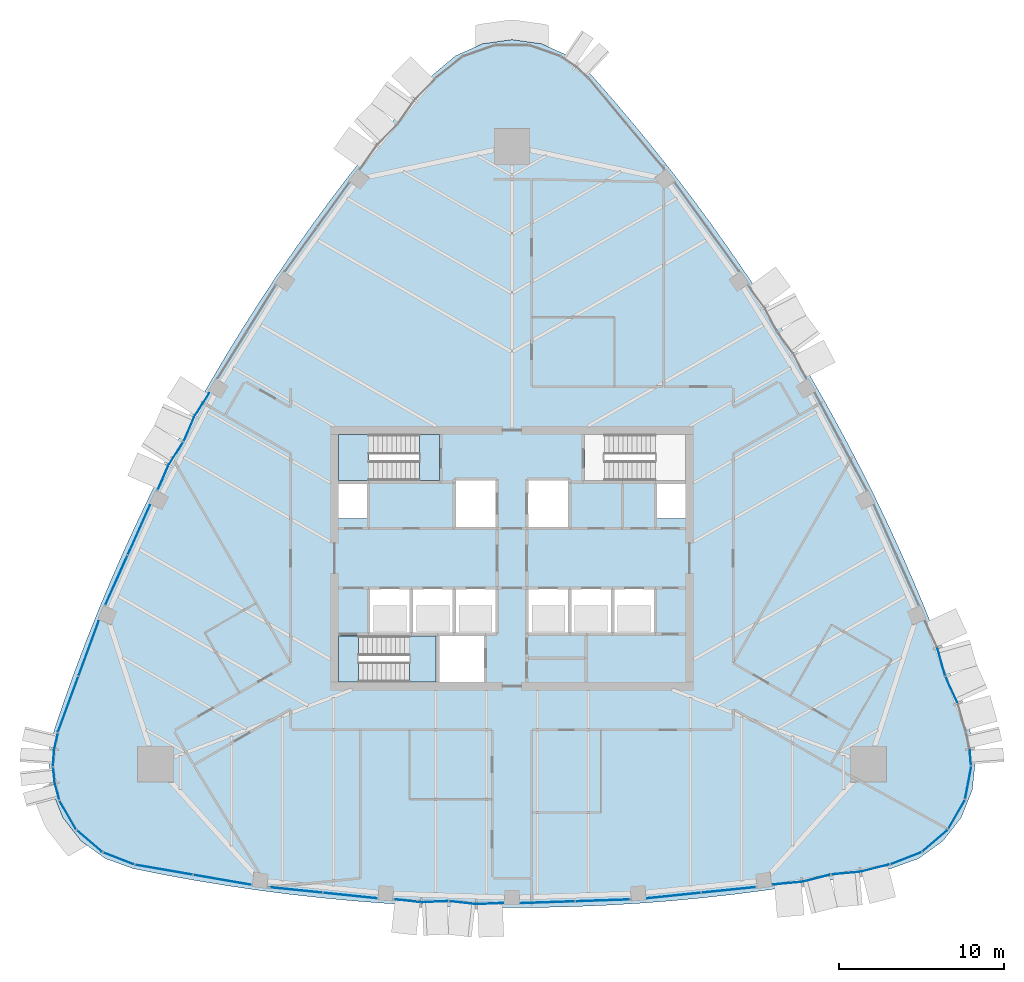
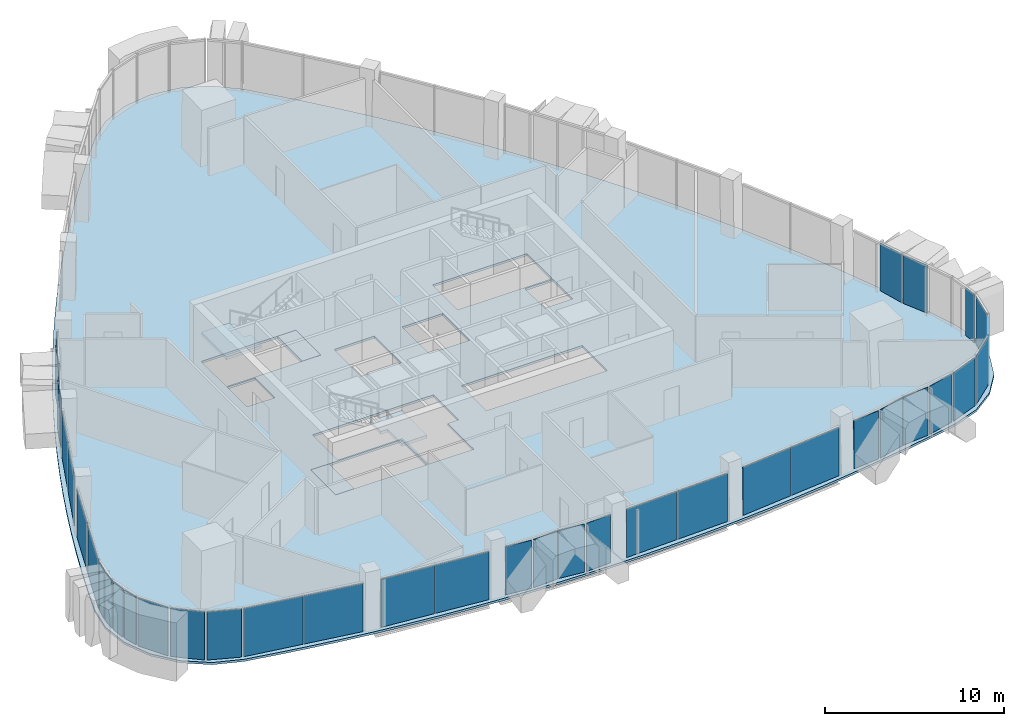
# One storey, part 8 of 18: 38 plates, 5 slabs, 22 elements without a shape of their own.
"""IFC4 building model written with IfcOpenShell, lengths in metres."""

from ifc_helpers import new_model, si_unit, direction, frame, origin, origin_2d, place, context, subcontext, project, spatial, polyline, rectangle, outline, extrude, material, layer, layer_set, type_object, element, aggregate, save


model = new_model("IFC4")

# Units and contexts
model_context = context("Model", 3, precision=1e-05, world=origin(), true_north=direction((0.0, 1.0)))
body_context = subcontext(model_context, "Body", "Model", "MODEL_VIEW")
ifc_project = project(units=[si_unit("LENGTHUNIT", "METRE"), si_unit("AREAUNIT", "SQUARE_METRE"), si_unit("VOLUMEUNIT", "CUBIC_METRE"), si_unit("PLANEANGLEUNIT", "RADIAN"), si_unit("MASSUNIT", "GRAM", prefix="KILO")], contexts=[model_context])

# Site, building, storey
site_placement = place(None, origin())
site = spatial("IfcSite", under=ifc_project, at=site_placement, CompositionType="ELEMENT")
building_placement = place(site_placement, origin())
building = spatial("IfcBuilding", under=site, at=building_placement, Name="Sierra Prisma Convention Tower", CompositionType="ELEMENT")
storey_placement = place(building_placement, frame((0.0, 0.0, 255.0)))
storey = spatial("IfcBuildingStorey", under=building, at=storey_placement, Name="L57", CompositionType="ELEMENT", Elevation=255.0)

# Curtain wall, plates
ifc_material_1 = material(Name="Aluminium and glass curtain wall", Category="aluminium")
ifc_layer_1 = layer(ifc_material_1, 0.179931640625)
ifc_layer_set_1 = layer_set([ifc_layer_1], Name="CW-1 Plain shaft curtain wall")
curtain_wall_type_1 = type_object("IfcCurtainWallType", Name="CW-1 Plain shaft curtain wall", PredefinedType="NOTDEFINED", material=ifc_layer_set_1)
curtain_wall_1_placement = place(storey_placement, origin())
curtain_wall_1 = element("IfcCurtainWall", 1, at=curtain_wall_1_placement, inside=storey, type_object=curtain_wall_type_1, Name="CW-1 S1 L57", PredefinedType="NOTDEFINED")
ifc_material_2 = material(Name="Tinted glass bronze-grey IGU", Category="glass")
ifc_layer_2 = layer(ifc_material_2, 0.028076171875)
ifc_layer_set_2 = layer_set([ifc_layer_2], Name="CW-1 glass panel")
plate_type_1 = type_object("IfcPlateType", Name="CW-1 glass panel", PredefinedType="CURTAIN_PANEL", material=ifc_layer_set_2)
plate_1_placement = place(storey_placement, frame((-21.089599609375, -18.871826171875, 0.0), z_axis=(0.0, 0.0, 1.0), x_axis=(0.985403487239, -0.170235035574, 0.0)))
plate_1 = element("IfcPlate", 2, at=plate_1_placement, type_object=plate_type_1, Name="CW-1 panel S1.1", PredefinedType="CURTAIN_PANEL", context=body_context, shape_type="SweptSolid", body=[
    extrude(rectangle(XDim=3.510986328125, YDim=0.028076171875, at=origin_2d()), origin(), (0.0, 0.0, 1.0), 3.280029296875),
])
plate_2_placement = place(storey_placement, frame((-17.56103515625, -19.4814453125, 0.0), z_axis=(0.0, 0.0, 1.0), x_axis=(0.985403487239, -0.170235035574, 0.0)))
plate_2 = element("IfcPlate", 3, at=plate_2_placement, type_object=plate_type_1, Name="CW-1 panel S1.2", PredefinedType="CURTAIN_PANEL", context=body_context, shape_type="SweptSolid", body=[
    extrude(rectangle(XDim=3.510986328125, YDim=0.028076171875, at=origin_2d()), origin(), (0.0, 0.0, 1.0), 3.280029296875),
])
aggregate(curtain_wall_1, [plate_1, plate_2])

curtain_wall_2_placement = place(storey_placement, origin())
curtain_wall_2 = element("IfcCurtainWall", 4, at=curtain_wall_2_placement, inside=storey, type_object=curtain_wall_type_1, Name="CW-1 S2 L57", PredefinedType="NOTDEFINED")
plate_3_placement = place(storey_placement, frame((-13.13427734375, -20.09375, 0.0), z_axis=(0.0, 0.0, 1.0), x_axis=(0.994737044861, -0.102460780699, 0.0)))
plate_3 = element("IfcPlate", 5, at=plate_3_placement, type_object=plate_type_1, Name="CW-1 panel S2.1", PredefinedType="CURTAIN_PANEL", context=body_context, shape_type="SweptSolid", body=[
    extrude(rectangle(XDim=3.263916015625, YDim=0.028076171875, at=origin_2d()), origin(), (0.0, 0.0, 1.0), 3.280029296875),
])
plate_4_placement = place(storey_placement, frame((-9.818115234375, -20.435302734375, 0.0), z_axis=(0.0, 0.0, 1.0), x_axis=(0.994737044861, -0.102460780699, 0.0)))
plate_4 = element("IfcPlate", 6, at=plate_4_placement, type_object=plate_type_1, Name="CW-1 panel S2.2", PredefinedType="CURTAIN_PANEL", context=body_context, shape_type="SweptSolid", body=[
    extrude(rectangle(XDim=3.263916015625, YDim=0.028076171875, at=origin_2d()), origin(), (0.0, 0.0, 1.0), 3.280029296875),
])
aggregate(curtain_wall_2, [plate_3, plate_4])

curtain_wall_3_placement = place(storey_placement, origin())
curtain_wall_3 = element("IfcCurtainWall", 7, at=curtain_wall_3_placement, inside=storey, type_object=curtain_wall_type_1, Name="CW-1 S4 L57", PredefinedType="NOTDEFINED")
plate_5_placement = place(storey_placement, frame((2.15869140625, -20.8447265625, 0.0), z_axis=(0.0, 0.0, 1.0), x_axis=(0.999414770638, 0.034206961734, 0.0)))
plate_5 = element("IfcPlate", 8, at=plate_5_placement, type_object=plate_type_1, Name="CW-1 panel S4.1", PredefinedType="CURTAIN_PANEL", context=body_context, shape_type="SweptSolid", body=[
    extrude(rectangle(XDim=3.27978515625, YDim=0.028076171875, at=origin_2d()), origin(), (0.0, 0.0, 1.0), 3.280029296875),
])
plate_6_placement = place(storey_placement, frame((5.506591796875, -20.72998046875, 0.0), z_axis=(0.0, 0.0, 1.0), x_axis=(0.999414770638, 0.034206961734, 0.0)))
plate_6 = element("IfcPlate", 9, at=plate_6_placement, type_object=plate_type_1, Name="CW-1 panel S4.2", PredefinedType="CURTAIN_PANEL", context=body_context, shape_type="SweptSolid", body=[
    extrude(rectangle(XDim=3.27978515625, YDim=0.028076171875, at=origin_2d()), origin(), (0.0, 0.0, 1.0), 3.280029296875),
])
aggregate(curtain_wall_3, [plate_5, plate_6])

curtain_wall_4_placement = place(storey_placement, origin())
curtain_wall_4 = element("IfcCurtainWall", 10, at=curtain_wall_4_placement, inside=storey, type_object=curtain_wall_type_1, Name="CW-1 S5 L57", PredefinedType="NOTDEFINED")
plate_7_placement = place(storey_placement, frame((9.818115234375, -20.435302734375, 0.0), z_axis=(0.0, 0.0, 1.0), x_axis=(0.994737044861, 0.102460780699, 0.0)))
plate_7 = element("IfcPlate", 11, at=plate_7_placement, type_object=plate_type_1, Name="CW-1 panel S5.1", PredefinedType="CURTAIN_PANEL", context=body_context, shape_type="SweptSolid", body=[
    extrude(rectangle(XDim=3.263916015625, YDim=0.028076171875, at=origin_2d()), origin(), (0.0, 0.0, 1.0), 3.280029296875),
])
plate_8_placement = place(storey_placement, frame((13.13427734375, -20.09375, 0.0), z_axis=(0.0, 0.0, 1.0), x_axis=(0.994737044861, 0.102460780699, 0.0)))
plate_8 = element("IfcPlate", 12, at=plate_8_placement, type_object=plate_type_1, Name="CW-1 panel S5.2", PredefinedType="CURTAIN_PANEL", context=body_context, shape_type="SweptSolid", body=[
    extrude(rectangle(XDim=3.263916015625, YDim=0.028076171875, at=origin_2d()), origin(), (0.0, 0.0, 1.0), 3.280029296875),
])
aggregate(curtain_wall_4, [plate_7, plate_8])

# Curtain wall, plate
curtain_wall_5_placement = place(storey_placement, origin())
curtain_wall_5 = element("IfcCurtainWall", 13, at=curtain_wall_5_placement, inside=storey, type_object=curtain_wall_type_1, Name="CW-1 SE1 L57", PredefinedType="NOTDEFINED")
plate_9_placement = place(storey_placement, frame((23.85693359375, -18.18115234375, 0.0), z_axis=(0.0, 0.0, 1.0), x_axis=(0.93099577944, 0.365029942148, 0.0)))
plate_9 = element("IfcPlate", 14, at=plate_9_placement, type_object=plate_type_1, Name="CW-1 panel SE1.1", PredefinedType="CURTAIN_PANEL", context=body_context, shape_type="SweptSolid", body=[
    extrude(rectangle(XDim=1.9404296875, YDim=0.028076171875, at=origin_2d()), origin(), (0.0, 0.0, 1.0), 3.280029296875),
])
aggregate(curtain_wall_5, [plate_9])

curtain_wall_6_placement = place(storey_placement, origin())
curtain_wall_6 = element("IfcCurtainWall", 15, at=curtain_wall_6_placement, inside=storey, type_object=curtain_wall_type_1, Name="CW-1 SE2 L57", PredefinedType="NOTDEFINED")
plate_10_placement = place(storey_placement, frame((25.614013671875, -17.123046875, 0.0), z_axis=(0.0, 0.0, 1.0), x_axis=(0.758080697115, 0.652160759829, 0.0)))
plate_10 = element("IfcPlate", 16, at=plate_10_placement, type_object=plate_type_1, Name="CW-1 panel SE2.1", PredefinedType="CURTAIN_PANEL", context=body_context, shape_type="SweptSolid", body=[
    extrude(rectangle(XDim=1.9404296875, YDim=0.028076171875, at=origin_2d()), origin(), (0.0, 0.0, 1.0), 3.280029296875),
])
aggregate(curtain_wall_6, [plate_10])

curtain_wall_7_placement = place(storey_placement, origin())
curtain_wall_7 = element("IfcCurtainWall", 17, at=curtain_wall_7_placement, inside=storey, type_object=curtain_wall_type_1, Name="CW-1 SE3 L57", PredefinedType="NOTDEFINED")
plate_11_placement = place(storey_placement, frame((26.9228515625, -15.5439453125, 0.0), z_axis=(0.0, 0.0, 1.0), x_axis=(0.5, 0.866025403784, 0.0)))
plate_11 = element("IfcPlate", 18, at=plate_11_placement, type_object=plate_type_1, Name="CW-1 panel SE3.1", PredefinedType="CURTAIN_PANEL", context=body_context, shape_type="SweptSolid", body=[
    extrude(rectangle(XDim=1.9404296875, YDim=0.028076171875, at=origin_2d()), origin(), (0.0, 0.0, 1.0), 3.280029296875),
])
aggregate(curtain_wall_7, [plate_11])

curtain_wall_8_placement = place(storey_placement, origin())
curtain_wall_8 = element("IfcCurtainWall", 19, at=curtain_wall_8_placement, inside=storey, type_object=curtain_wall_type_1, Name="CW-1 SE4 L57", PredefinedType="NOTDEFINED")
plate_12_placement = place(storey_placement, frame((27.635986328125, -13.620849609375, 0.0), z_axis=(0.0, 0.0, 1.0), x_axis=(0.185747436806, 0.982597521735, 0.0)))
plate_12 = element("IfcPlate", 20, at=plate_12_placement, type_object=plate_type_1, Name="CW-1 panel SE4.1", PredefinedType="CURTAIN_PANEL", context=body_context, shape_type="SweptSolid", body=[
    extrude(rectangle(XDim=1.9404296875, YDim=0.028076171875, at=origin_2d()), origin(), (0.0, 0.0, 1.0), 3.280029296875),
])
aggregate(curtain_wall_8, [plate_12])

# Curtain wall, plates
curtain_wall_9_placement = place(storey_placement, origin())
curtain_wall_9 = element("IfcCurtainWall", 21, at=curtain_wall_9_placement, inside=storey, type_object=curtain_wall_type_1, Name="CW-1 NW5 L57", PredefinedType="NOTDEFINED")
plate_13_placement = place(storey_placement, frame((-22.6064453125, 1.715087890625, 0.0), z_axis=(0.0, 0.0, 1.0), x_axis=(-0.408634883454, -0.912697941284, 0.0)))
plate_13 = element("IfcPlate", 22, at=plate_13_placement, type_object=plate_type_1, Name="CW-1 panel NW5.1", PredefinedType="CURTAIN_PANEL", context=body_context, shape_type="SweptSolid", body=[
    extrude(rectangle(XDim=3.263916015625, YDim=0.028076171875, at=origin_2d()), origin(), (0.0, 0.0, 1.0), 3.280029296875),
])
plate_14_placement = place(storey_placement, frame((-23.96875, -1.327880859375, 0.0), z_axis=(0.0, 0.0, 1.0), x_axis=(-0.408634883454, -0.912697941284, 0.0)))
plate_14 = element("IfcPlate", 23, at=plate_14_placement, type_object=plate_type_1, Name="CW-1 panel NW5.2", PredefinedType="CURTAIN_PANEL", context=body_context, shape_type="SweptSolid", body=[
    extrude(rectangle(XDim=3.263916015625, YDim=0.028076171875, at=origin_2d()), origin(), (0.0, 0.0, 1.0), 3.280029296875),
])
aggregate(curtain_wall_9, [plate_13, plate_14])

curtain_wall_10_placement = place(storey_placement, origin())
curtain_wall_10 = element("IfcCurtainWall", 24, at=curtain_wall_10_placement, inside=storey, type_object=curtain_wall_type_1, Name="CW-1 NW6 L57", PredefinedType="NOTDEFINED")
plate_15_placement = place(storey_placement, frame((-25.65185546875, -5.467529296875, 0.0), z_axis=(0.0, 0.0, 1.0), x_axis=(-0.345273878198, -0.938501970714, 0.0)))
plate_15 = element("IfcPlate", 25, at=plate_15_placement, type_object=plate_type_1, Name="CW-1 panel NW6.1", PredefinedType="CURTAIN_PANEL", context=body_context, shape_type="SweptSolid", body=[
    extrude(rectangle(XDim=3.510986328125, YDim=0.028076171875, at=origin_2d()), origin(), (0.0, 0.0, 1.0), 3.280029296875),
])
plate_16_placement = place(storey_placement, frame((-26.88818359375, -8.828369140625, 0.0), z_axis=(0.0, 0.0, 1.0), x_axis=(-0.345273878198, -0.938501970714, 0.0)))
plate_16 = element("IfcPlate", 26, at=plate_16_placement, type_object=plate_type_1, Name="CW-1 panel NW6.2", PredefinedType="CURTAIN_PANEL", context=body_context, shape_type="SweptSolid", body=[
    extrude(rectangle(XDim=3.510986328125, YDim=0.028076171875, at=origin_2d()), origin(), (0.0, 0.0, 1.0), 3.280029296875),
])
aggregate(curtain_wall_10, [plate_15, plate_16])

# Curtain wall, plate
curtain_wall_11_placement = place(storey_placement, origin())
curtain_wall_11 = element("IfcCurtainWall", 27, at=curtain_wall_11_placement, inside=storey, type_object=curtain_wall_type_1, Name="CW-1 SW3 L57", PredefinedType="NOTDEFINED")
plate_17_placement = place(storey_placement, frame((-26.9228515625, -15.5439453125, 0.0), z_axis=(0.0, 0.0, 1.0), x_axis=(0.5, -0.866025403784, 0.0)))
plate_17 = element("IfcPlate", 28, at=plate_17_placement, type_object=plate_type_1, Name="CW-1 panel SW3.1", PredefinedType="CURTAIN_PANEL", context=body_context, shape_type="SweptSolid", body=[
    extrude(rectangle(XDim=1.9404296875, YDim=0.028076171875, at=origin_2d()), origin(), (0.0, 0.0, 1.0), 3.280029296875),
])
aggregate(curtain_wall_11, [plate_17])

curtain_wall_12_placement = place(storey_placement, origin())
curtain_wall_12 = element("IfcCurtainWall", 29, at=curtain_wall_12_placement, inside=storey, type_object=curtain_wall_type_1, Name="CW-1 SW4 L57", PredefinedType="NOTDEFINED")
plate_18_placement = place(storey_placement, frame((-25.614013671875, -17.123046875, 0.0), z_axis=(0.0, 0.0, 1.0), x_axis=(0.758080697115, -0.652160759829, 0.0)))
plate_18 = element("IfcPlate", 30, at=plate_18_placement, type_object=plate_type_1, Name="CW-1 panel SW4.1", PredefinedType="CURTAIN_PANEL", context=body_context, shape_type="SweptSolid", body=[
    extrude(rectangle(XDim=1.9404296875, YDim=0.028076171875, at=origin_2d()), origin(), (0.0, 0.0, 1.0), 3.280029296875),
])
aggregate(curtain_wall_12, [plate_18])

curtain_wall_13_placement = place(storey_placement, origin())
curtain_wall_13 = element("IfcCurtainWall", 31, at=curtain_wall_13_placement, inside=storey, type_object=curtain_wall_type_1, Name="CW-1 SW5 L57", PredefinedType="NOTDEFINED")
plate_19_placement = place(storey_placement, frame((-23.85693359375, -18.18115234375, 0.0), z_axis=(0.0, 0.0, 1.0), x_axis=(0.93099577944, -0.365029942148, 0.0)))
plate_19 = element("IfcPlate", 32, at=plate_19_placement, type_object=plate_type_1, Name="CW-1 panel SW5.1", PredefinedType="CURTAIN_PANEL", context=body_context, shape_type="SweptSolid", body=[
    extrude(rectangle(XDim=1.9404296875, YDim=0.028076171875, at=origin_2d()), origin(), (0.0, 0.0, 1.0), 3.280029296875),
])
aggregate(curtain_wall_13, [plate_19])

# Curtain wall, plates
ifc_material_3 = material(Name="Aluminium and glass curtain wall", Category="aluminium")
ifc_layer_3 = layer(ifc_material_3, 0.179931640625)
ifc_layer_set_3 = layer_set([ifc_layer_3], Name="CW-2 Faceted crystal curtain wall")
curtain_wall_type_2 = type_object("IfcCurtainWallType", Name="CW-2 Faceted crystal curtain wall", PredefinedType="NOTDEFINED", material=ifc_layer_set_3)
curtain_wall_14_placement = place(storey_placement, origin())
curtain_wall_14 = element("IfcCurtainWall", 33, at=curtain_wall_14_placement, inside=storey, type_object=curtain_wall_type_2, Name="CW-2 S3 L57", PredefinedType="NOTDEFINED")
ifc_material_4 = material(Name="Tinted glass bronze-grey IGU", Category="glass")
ifc_layer_4 = layer(ifc_material_4, 0.028076171875)
ifc_layer_set_4 = layer_set([ifc_layer_4], Name="CW-2 crystal pane")
plate_type_2 = type_object("IfcPlateType", Name="CW-2 crystal pane", PredefinedType="CURTAIN_PANEL", material=ifc_layer_set_4)
plate_20_placement = place(storey_placement, frame((-7.1455078125, -20.674072265625, 0.0), z_axis=(-0.112483258493, -0.99365362001, 0.0), x_axis=(0.99365362001, -0.112483258493, 0.0)))
plate_20 = element("IfcPlate", 34, at=plate_20_placement, type_object=plate_type_2, Name="CW-2 pane S3.1.1", PredefinedType="CURTAIN_PANEL", context=body_context, shape_type="SweptSolid", body=[
    extrude(outline(polyline([(0.0, 0.0), (1.5800962506022047, 0.0), (1.5800962506022047, 3.280029296875001), (0.0, 3.280029296875001), (0.0, 0.0)])), origin(), (0.0, 0.0, -1.0), 0.028076171875),
])
plate_21_placement = place(storey_placement, frame((-3.867431640625, -20.7861328125, 0.0), z_axis=(0.044342360813, -0.999016393778, 0.0), x_axis=(-0.999016393778, -0.044342360813, 0.0)))
plate_21 = element("IfcPlate", 35, at=plate_21_placement, type_object=plate_type_2, Name="CW-2 pane S3.1.2", PredefinedType="CURTAIN_PANEL", context=body_context, shape_type="SweptSolid", body=[
    extrude(outline(polyline([(0.0, 0.0), (1.5801675438776726, 0.0), (1.5801675438776726, -3.280029296875001), (0.0, -3.280029296875001), (0.0, 0.0)])), origin(), (0.0, 0.0, -1.0), 0.028076171875),
])
plate_22_placement = place(storey_placement, frame((-3.797607421875, -20.78857421875, 0.0), z_axis=(-0.112483258493, -0.99365362001, 0.0), x_axis=(0.99365362001, -0.112483258493, 0.0)))
plate_22 = element("IfcPlate", 36, at=plate_22_placement, type_object=plate_type_2, Name="CW-2 pane S3.2.1", PredefinedType="CURTAIN_PANEL", context=body_context, shape_type="SweptSolid", body=[
    extrude(outline(polyline([(0.0, 0.0), (1.5800962506022047, 0.0), (1.5800962506022047, 3.280029296875001), (0.0, 3.280029296875001), (0.0, 0.0)])), origin(), (0.0, 0.0, -1.0), 0.028076171875),
])
plate_23_placement = place(storey_placement, frame((-0.519775390625, -20.90087890625, 0.0), z_axis=(0.044194981654, -0.99902292446, 0.0), x_axis=(-0.99902292446, -0.044194981654, 0.0)))
plate_23 = element("IfcPlate", 37, at=plate_23_placement, type_object=plate_type_2, Name="CW-2 pane S3.2.2", PredefinedType="CURTAIN_PANEL", context=body_context, shape_type="SweptSolid", body=[
    extrude(outline(polyline([(0.0, 0.0), (1.5799128348112592, 0.0), (1.5799128348112592, -3.280029296875), (0.0, -3.280029296875), (0.0, 0.0)])), origin(), (0.0, 0.0, -1.0), 0.028076171875),
])
aggregate(curtain_wall_14, [plate_20, plate_21, plate_22, plate_23])

curtain_wall_15_placement = place(storey_placement, origin())
curtain_wall_15 = element("IfcCurtainWall", 38, at=curtain_wall_15_placement, inside=storey, type_object=curtain_wall_type_2, Name="CW-2 S6 L57", PredefinedType="NOTDEFINED")
plate_24_placement = place(storey_placement, frame((15.831298828125, -19.7802734375, 0.0), z_axis=(0.092430836729, -0.995719107189, 0.0), x_axis=(0.995719107189, 0.092430836729, 0.0)))
plate_24 = element("IfcPlate", 39, at=plate_24_placement, type_object=plate_type_2, Name="CW-2 pane S6.1.1", PredefinedType="CURTAIN_PANEL", context=body_context, shape_type="SweptSolid", body=[
    extrude(outline(polyline([(0.0, 0.0), (1.6957358258057238, 0.0), (1.6957358258057238, 3.280029296875001), (0.0, 3.280029296875001), (0.0, 0.0)])), origin(), (0.0, 0.0, -1.0), 0.028076171875),
])
plate_25_placement = place(storey_placement, frame((19.290771484375, -19.1826171875, 0.0), z_axis=(0.246902978996, -0.969040205029, 0.0), x_axis=(-0.969040205029, -0.246902978996, 0.0)))
plate_25 = element("IfcPlate", 40, at=plate_25_placement, type_object=plate_type_2, Name="CW-2 pane S6.1.2", PredefinedType="CURTAIN_PANEL", context=body_context, shape_type="SweptSolid", body=[
    extrude(outline(polyline([(0.0, 0.0), (1.6958125559153376, 0.0), (1.6958125559153376, -3.280029296875), (0.0, -3.280029296875), (0.0, 0.0)])), origin(), (0.0, 0.0, -1.0), 0.028076171875),
])
plate_26_placement = place(storey_placement, frame((19.35986328125, -19.170654296875, 0.0), z_axis=(0.092417588019, -0.995720336955, 0.0), x_axis=(0.995720336955, 0.092417588019, 0.0)))
plate_26 = element("IfcPlate", 41, at=plate_26_placement, type_object=plate_type_2, Name="CW-2 pane S6.2.1", PredefinedType="CURTAIN_PANEL", context=body_context, shape_type="SweptSolid", body=[
    extrude(outline(polyline([(0.0, 0.0), (1.6959789214410061, 0.0), (1.6959789214410061, 3.280029296875), (0.0, 3.280029296875), (0.0, 0.0)])), origin(), (0.0, 0.0, -1.0), 0.028076171875),
])
plate_27_placement = place(storey_placement, frame((22.819580078125, -18.572998046875, 0.0), z_axis=(0.24703816217, -0.969005751496, 0.0), x_axis=(-0.969005751496, -0.24703816217, 0.0)))
plate_27 = element("IfcPlate", 42, at=plate_27_placement, type_object=plate_type_2, Name="CW-2 pane S6.2.2", PredefinedType="CURTAIN_PANEL", context=body_context, shape_type="SweptSolid", body=[
    extrude(outline(polyline([(0.0, 0.0), (1.6958728514650896, 0.0), (1.6958728514650896, -3.280029296875), (0.0, -3.280029296875), (0.0, 0.0)])), origin(), (0.0, 0.0, -1.0), 0.028076171875),
])
aggregate(curtain_wall_15, [plate_24, plate_25, plate_26, plate_27])

# Curtain wall, plate
curtain_wall_16_placement = place(storey_placement, origin())
curtain_wall_16 = element("IfcCurtainWall", 43, at=curtain_wall_16_placement, inside=storey, type_object=curtain_wall_type_2, Name="CW-2 SE5 L57", PredefinedType="NOTDEFINED")
plate_28_placement = place(storey_placement, frame((27.81884765625, -12.529541015625, 0.0), z_axis=(0.997460064037, 0.071227948523, 0.0), x_axis=(-0.071227948523, 0.997460064037, 0.0)))
plate_28 = element("IfcPlate", 44, at=plate_28_placement, type_object=plate_type_2, Name="CW-2 pane SE5.1.1", PredefinedType="CURTAIN_PANEL", context=body_context, shape_type="SweptSolid", body=[
    extrude(outline(polyline([(0.0, 0.0), (0.9083129160158322, 0.0), (0.9083129160158322, 3.2800292968749996), (0.0, 3.2800292968749996), (0.0, 0.0)])), origin(), (0.0, 0.0, -1.0), 0.028076171875),
])
aggregate(curtain_wall_16, [plate_28])

# Curtain wall, plates
curtain_wall_17_placement = place(storey_placement, origin())
curtain_wall_17 = element("IfcCurtainWall", 45, at=curtain_wall_17_placement, inside=storey, type_object=curtain_wall_type_2, Name="CW-2 NE1 L57", PredefinedType="NOTDEFINED")
plate_29_placement = place(storey_placement, frame((26.2822265625, -7.180908203125, 0.0), z_axis=(0.908548380722, 0.417779654707, 0.0), x_axis=(0.417779654707, -0.908548380722, 0.0)))
plate_29 = element("IfcPlate", 46, at=plate_29_placement, type_object=plate_type_2, Name="CW-2 pane NE1.1.2", PredefinedType="CURTAIN_PANEL", context=body_context, shape_type="SweptSolid", body=[
    extrude(outline(polyline([(0.0, 0.0), (1.695860690599953, 0.0), (1.695860690599953, -3.280029296875), (0.0, -3.280029296875), (0.0, 0.0)])), origin(), (0.0, 0.0, -1.0), 0.028076171875),
])
plate_30_placement = place(storey_placement, frame((26.258056640625, -7.115234375, 0.0), z_axis=(0.962688447187, 0.270612183121, 0.0), x_axis=(-0.270612183121, 0.962688447187, 0.0)))
plate_30 = element("IfcPlate", 47, at=plate_30_placement, type_object=plate_type_2, Name="CW-2 pane NE1.2.1", PredefinedType="CURTAIN_PANEL", context=body_context, shape_type="SweptSolid", body=[
    extrude(outline(polyline([(0.0, 0.0), (1.6960964939089964, 0.0), (1.6960964939089964, 3.280029296875), (0.0, 3.280029296875), (0.0, 0.0)])), origin(), (0.0, 0.0, -1.0), 0.028076171875),
])
aggregate(curtain_wall_17, [plate_29, plate_30])

curtain_wall_18_placement = place(storey_placement, origin())
curtain_wall_18 = element("IfcCurtainWall", 48, at=curtain_wall_18_placement, inside=storey, type_object=curtain_wall_type_2, Name="CW-2 NW4 L57", PredefinedType="NOTDEFINED")
plate_31_placement = place(storey_placement, frame((-18.3603515625, 10.000244140625, 0.0), z_axis=(-0.842986323776, 0.537934994146, 0.0), x_axis=(-0.537934994146, -0.842986323776, 0.0)))
plate_31 = element("IfcPlate", 49, at=plate_31_placement, type_object=plate_type_2, Name="CW-2 pane NW4.1.1", PredefinedType="CURTAIN_PANEL", context=body_context, shape_type="SweptSolid", body=[
    extrude(outline(polyline([(0.0, 0.0), (1.5798442653368054, 0.0), (1.5798442653368054, 3.280029296875), (0.0, 3.280029296875), (0.0, 0.0)])), origin(), (0.0, 0.0, -1.0), 0.028076171875),
])
plate_32_placement = place(storey_placement, frame((-19.90234375, 7.10546875, 0.0), z_axis=(-0.91676271106, 0.399432261603, 0.0), x_axis=(0.399432261603, 0.91676271106, 0.0)))
plate_32 = element("IfcPlate", 50, at=plate_32_placement, type_object=plate_type_2, Name="CW-2 pane NW4.1.2", PredefinedType="CURTAIN_PANEL", context=body_context, shape_type="SweptSolid", body=[
    extrude(outline(polyline([(0.0, 0.0), (1.5800013576574168, 0.0), (1.5800013576574168, -3.280029296875001), (0.0, -3.280029296875001), (0.0, 0.0)])), origin(), (0.0, 0.0, -1.0), 0.028076171875),
])
plate_33_placement = place(storey_placement, frame((-19.93505859375, 7.043701171875, 0.0), z_axis=(-0.843031033348, 0.537864924319, 0.0), x_axis=(-0.537864924319, -0.843031033348, 0.0)))
plate_33 = element("IfcPlate", 51, at=plate_33_placement, type_object=plate_type_2, Name="CW-2 pane NW4.2.1", PredefinedType="CURTAIN_PANEL", context=body_context, shape_type="SweptSolid", body=[
    extrude(outline(polyline([(0.0, 0.0), (1.5800500780028255, 0.0), (1.5800500780028255, 3.280029296875), (0.0, 3.280029296875), (0.0, 0.0)])), origin(), (0.0, 0.0, -1.0), 0.028076171875),
])
plate_34_placement = place(storey_placement, frame((-21.47705078125, 4.14892578125, 0.0), z_axis=(-0.91676271106, 0.399432261603, 0.0), x_axis=(0.399432261603, 0.91676271106, 0.0)))
plate_34 = element("IfcPlate", 52, at=plate_34_placement, type_object=plate_type_2, Name="CW-2 pane NW4.2.2", PredefinedType="CURTAIN_PANEL", context=body_context, shape_type="SweptSolid", body=[
    extrude(outline(polyline([(0.0, 0.0), (1.5800013576574168, 0.0), (1.5800013576574168, -3.280029296875001), (0.0, -3.280029296875001), (0.0, 0.0)])), origin(), (0.0, 0.0, -1.0), 0.028076171875),
])
aggregate(curtain_wall_18, [plate_31, plate_32, plate_33, plate_34])

curtain_wall_19_placement = place(storey_placement, origin())
curtain_wall_19 = element("IfcCurtainWall", 53, at=curtain_wall_19_placement, inside=storey, type_object=curtain_wall_type_2, Name="CW-2 SW1 L57", PredefinedType="NOTDEFINED")
plate_35_placement = place(storey_placement, frame((-27.529052734375, -10.61083984375, 0.0), z_axis=(-0.974041122762, 0.2263711359, 0.0), x_axis=(-0.2263711359, -0.974041122762, 0.0)))
plate_35 = element("IfcPlate", 54, at=plate_35_placement, type_object=plate_type_2, Name="CW-2 pane SW1.1.1", PredefinedType="CURTAIN_PANEL", context=body_context, shape_type="SweptSolid", body=[
    extrude(outline(polyline([(0.0, 0.0), (0.9080946006333775, 0.0), (0.9080946006333775, 3.280029296875), (0.0, 3.280029296875), (0.0, 0.0)])), origin(), (0.0, 0.0, -1.0), 0.028076171875),
])
plate_36_placement = place(storey_placement, frame((-27.81884765625, -12.529541015625, 0.0), z_axis=(-0.997460064037, 0.071227948523, 0.0), x_axis=(0.071227948523, 0.997460064037, 0.0)))
plate_36 = element("IfcPlate", 55, at=plate_36_placement, type_object=plate_type_2, Name="CW-2 pane SW1.1.2", PredefinedType="CURTAIN_PANEL", context=body_context, shape_type="SweptSolid", body=[
    extrude(outline(polyline([(0.0, 0.0), (0.9083129160158322, 0.0), (0.9083129160158322, -3.2800292968749996), (0.0, -3.2800292968749996), (0.0, 0.0)])), origin(), (0.0, 0.0, -1.0), 0.028076171875),
])
aggregate(curtain_wall_19, [plate_35, plate_36])

curtain_wall_20_placement = place(storey_placement, origin())
curtain_wall_20 = element("IfcCurtainWall", 56, at=curtain_wall_20_placement, inside=storey, type_object=curtain_wall_type_2, Name="CW-2 SW2 L57", PredefinedType="NOTDEFINED")
plate_37_placement = place(storey_placement, frame((-27.81640625, -12.66748046875, 0.0), z_axis=(-0.994143207362, -0.108070732655, 0.0), x_axis=(0.108070732655, -0.994143207362, 0.0)))
plate_37 = element("IfcPlate", 57, at=plate_37_placement, type_object=plate_type_2, Name="CW-2 pane SW2.1.1", PredefinedType="CURTAIN_PANEL", context=body_context, shape_type="SweptSolid", body=[
    extrude(outline(polyline([(0.0, 0.0), (0.9081508826540242, 0.0), (0.9081508826540242, 3.2800292968749996), (0.0, 3.2800292968749996), (0.0, 0.0)])), origin(), (0.0, 0.0, -1.0), 0.028076171875),
])
plate_38_placement = place(storey_placement, frame((-27.455810546875, -14.57421875, 0.0), z_axis=(-0.96497441209, -0.26234401844, 0.0), x_axis=(-0.26234401844, 0.96497441209, 0.0)))
plate_38 = element("IfcPlate", 58, at=plate_38_placement, type_object=plate_type_2, Name="CW-2 pane SW2.1.2", PredefinedType="CURTAIN_PANEL", context=body_context, shape_type="SweptSolid", body=[
    extrude(outline(polyline([(0.0, 0.0), (0.9082778079592579, 0.0), (0.9082778079592579, -3.280029296875001), (0.0, -3.280029296875001), (0.0, 0.0)])), origin(), (0.0, 0.0, -1.0), 0.028076171875),
])
aggregate(curtain_wall_20, [plate_37, plate_38])

# Slab
ifc_material_5 = material(Name="Concrete C35/45", Category="concrete")
ifc_layer_5 = layer(ifc_material_5, 0.14990234375)
ifc_layer_set_5 = layer_set([ifc_layer_5], Name="Composite floor slab 150")
slab_type_1 = type_object("IfcSlabType", Name="Composite floor slab 150", PredefinedType="FLOOR", material=ifc_layer_set_5)
slab_1_placement = place(storey_placement, frame((0.0, 0.0, -0.14990234375)))
element("IfcSlab", 59, at=slab_1_placement, inside=storey, type_object=slab_type_1, Name="Floor slab L57 floor", PredefinedType="FLOOR", context=body_context, shape_type="SweptSolid", body=[
    extrude(outline(polyline([(-22.939453125, -18.8056640625), (-21.051513671875, -19.18212890625), (-19.157470703125, -19.52587890625), (-17.257568359375, -19.83740234375), (-15.352783203125, -20.116455078125), (-13.443603515625, -20.36279296875), (-11.530517578125, -20.576416015625), (-9.61376953125, -20.757080078125), (-7.6943359375, -20.9052734375), (-5.772705078125, -21.0205078125), (-3.849365234375, -21.102783203125), (-1.925048828125, -21.152099609375), (0.0, -21.16845703125), (1.925048828125, -21.152099609375), (3.849365234375, -21.102783203125), (5.772705078125, -21.0205078125), (7.6943359375, -20.9052734375), (9.61376953125, -20.757080078125), (11.530517578125, -20.576416015625), (13.443603515625, -20.36279296875), (15.352783203125, -20.116455078125), (17.257568359375, -19.83740234375), (19.157470703125, -19.52587890625), (21.051513671875, -19.18212890625), (22.939453125, -18.8056640625), (24.638916015625, -18.19384765625), (26.102294921875, -17.13525390625), (27.21533203125, -15.712646484375), (27.890625, -14.03759765625), (28.07568359375, -12.240966796875), (27.756103515625, -10.46337890625), (27.137939453125, -8.64013671875), (26.48876953125, -6.827880859375), (25.80859375, -5.02685546875), (25.09765625, -3.23779296875), (24.3564453125, -1.461181640625), (23.584716796875, 0.302490234375), (22.783203125, 2.052734375), (21.95166015625, 3.7890625), (21.090576171875, 5.5107421875), (20.2001953125, 7.217529296875), (19.28076171875, 8.908935546875), (18.33251953125, 10.584228515625), (17.355712890625, 12.2431640625), (16.350830078125, 13.885009765625), (15.31787109375, 15.509521484375), (14.25732421875, 17.1162109375), (13.16943359375, 18.704345703125), (12.054443359375, 20.273681640625), (10.912841796875, 21.823974609375), (9.744873046875, 23.354248046875), (8.55078125, 24.8642578125), (7.331298828125, 26.353759765625), (6.08642578125, 27.822265625), (4.81640625, 29.26904296875), (3.43701171875, 30.434814453125), (1.788330078125, 31.1728515625), (0.0, 31.425537109375), (-1.788330078125, 31.1728515625), (-3.43701171875, 30.434814453125), (-4.81640625, 29.26904296875), (-6.08642578125, 27.822265625), (-7.331298828125, 26.353759765625), (-8.55078125, 24.8642578125), (-9.744873046875, 23.354248046875), (-10.912841796875, 21.823974609375), (-12.054443359375, 20.273681640625), (-13.16943359375, 18.704345703125), (-14.25732421875, 17.1162109375), (-15.31787109375, 15.509521484375), (-16.350830078125, 13.885009765625), (-17.355712890625, 12.2431640625), (-18.33251953125, 10.584228515625), (-19.28076171875, 8.908935546875), (-20.2001953125, 7.217529296875), (-21.090576171875, 5.5107421875), (-21.95166015625, 3.7890625), (-22.783203125, 2.052734375), (-23.584716796875, 0.302490234375), (-24.3564453125, -1.461181640625), (-25.09765625, -3.23779296875), (-25.80859375, -5.02685546875), (-26.48876953125, -6.827880859375), (-27.137939453125, -8.64013671875), (-27.756103515625, -10.46337890625), (-28.07568359375, -12.240966796875), (-27.890625, -14.03759765625), (-27.21533203125, -15.712646484375), (-26.102294921875, -17.13525390625), (-24.638916015625, -18.19384765625), (-22.939453125, -18.8056640625)]), holes=[polyline([(-4.60009765625, -4.699951171875), (-4.60009765625, -7.5), (-10.5, -7.5), (-10.5, -4.699951171875), (-4.60009765625, -4.699951171875)]), polyline([(-4.5, -7.5), (-4.5, -4.60009765625), (-6.10009765625, -4.60009765625), (-8.699951171875, -4.60009765625), (-8.699951171875, -1.800048828125), (-6.10009765625, -1.800048828125), (-3.5, -1.800048828125), (-0.89990234375, -1.800048828125), (-0.89990234375, -4.60009765625), (-1.60009765625, -4.60009765625), (-1.60009765625, -7.5), (-4.5, -7.5)]), polyline([(-8.699951171875, 2.39990234375), (-10.5, 2.39990234375), (-10.5, 4.60009765625), (-8.699951171875, 4.60009765625), (-8.699951171875, 2.39990234375)]), polyline([(-4.39990234375, 4.699951171875), (-10.5, 4.699951171875), (-10.5, 7.5), (-4.39990234375, 7.5), (-4.39990234375, 4.699951171875)]), polyline([(3.5, -1.800048828125), (6.10009765625, -1.800048828125), (8.699951171875, -1.800048828125), (8.699951171875, -4.60009765625), (6.10009765625, -4.60009765625), (3.5, -4.60009765625), (0.89990234375, -4.60009765625), (0.89990234375, -1.800048828125), (3.5, -1.800048828125)]), polyline([(-0.89990234375, 1.800048828125), (-3.5, 1.800048828125), (-3.5, 4.800048828125), (-0.89990234375, 4.800048828125), (-0.89990234375, 1.800048828125)]), polyline([(3.5, 1.800048828125), (0.89990234375, 1.800048828125), (0.89990234375, 4.800048828125), (3.5, 4.800048828125), (3.5, 1.800048828125)]), polyline([(10.5, 2.39990234375), (8.699951171875, 2.39990234375), (8.699951171875, 4.60009765625), (10.5, 4.60009765625), (10.5, 2.39990234375)]), polyline([(10.5, 4.699951171875), (4.39990234375, 4.699951171875), (4.39990234375, 7.5), (10.5, 7.5), (10.5, 4.699951171875)])]), origin(), (0.0, 0.0, 1.0), 0.14990234375),
])

# Stair, slab
ifc_material_6 = material(Name="Concrete C30/37", Category="concrete")
stair_type = type_object("IfcStairType", Name="Stair dog-leg 1200 RC", PredefinedType="HALF_TURN_STAIR", material=ifc_material_6)
stair_1_placement = place(storey_placement, origin())
stair_1 = element("IfcStair", 60, at=stair_1_placement, inside=storey, type_object=stair_type, Name="L57 S1", PredefinedType="HALF_TURN_STAIR")
ifc_material_7 = material(Name="Concrete C35/45", Category="concrete")
ifc_layer_6 = layer(ifc_material_7, 0.199951171875)
ifc_layer_set_6 = layer_set([ifc_layer_6], Name="Stair landing slab")
slab_type_2 = type_object("IfcSlabType", Name="Stair landing slab", PredefinedType="LANDING", material=ifc_layer_set_6)
slab_2_placement = place(storey_placement, frame((0.0, 0.0, 1.800048828125)))
slab_2 = element("IfcSlab", 61, at=slab_2_placement, type_object=slab_type_2, Name="S1 landing 1", PredefinedType="LANDING", context=body_context, shape_type="SweptSolid", body=[
    extrude(outline(polyline([(-4.60009765625, -4.699951171875), (-4.60009765625, -7.5), (-6.221923828125, -7.5), (-6.221923828125, -5.89990234375), (-6.669921875, -5.89990234375), (-6.669921875, -4.699951171875), (-4.60009765625, -4.699951171875)])), origin(), (0.0, 0.0, 1.0), 0.199951171875),
])
aggregate(stair_1, [slab_2])

# Slab
slab_3_placement = place(storey_placement, frame((0.0, 0.0, -0.199951171875)))
element("IfcSlab", 62, at=slab_3_placement, inside=storey, type_object=slab_type_2, Name="S1 floor landing L57", PredefinedType="LANDING", context=body_context, shape_type="SweptSolid", body=[
    extrude(outline(polyline([(-10.5, -7.5), (-9.298095703125, -7.5), (-9.298095703125, -4.699951171875), (-10.5, -4.699951171875), (-10.5, -7.5)])), origin(), (0.0, 0.0, 1.0), 0.199951171875),
])

# Stair, slab
stair_2_placement = place(storey_placement, origin())
stair_2 = element("IfcStair", 63, at=stair_2_placement, inside=storey, type_object=stair_type, Name="L57 S3", PredefinedType="HALF_TURN_STAIR")
slab_4_placement = place(storey_placement, frame((0.0, 0.0, 1.800048828125)))
slab_4 = element("IfcSlab", 64, at=slab_4_placement, type_object=slab_type_2, Name="S3 landing 1", PredefinedType="LANDING", context=body_context, shape_type="SweptSolid", body=[
    extrude(outline(polyline([(-8.22998046875, 5.89990234375), (-8.22998046875, 4.699951171875), (-10.5, 4.699951171875), (-10.5, 7.5), (-8.677978515625, 7.5), (-8.677978515625, 5.89990234375), (-8.22998046875, 5.89990234375)])), origin(), (0.0, 0.0, 1.0), 0.199951171875),
])
aggregate(stair_2, [slab_4])

# Slab
slab_5_placement = place(storey_placement, frame((0.0, 0.0, -0.199951171875)))
element("IfcSlab", 65, at=slab_5_placement, inside=storey, type_object=slab_type_2, Name="S3 floor landing L57", PredefinedType="LANDING", context=body_context, shape_type="SweptSolid", body=[
    extrude(outline(polyline([(-4.39990234375, 7.5), (-5.60205078125, 7.5), (-5.60205078125, 4.699951171875), (-4.39990234375, 4.699951171875), (-4.39990234375, 7.5)])), origin(), (0.0, 0.0, 1.0), 0.199951171875),
])

save(model, "model.ifc")
